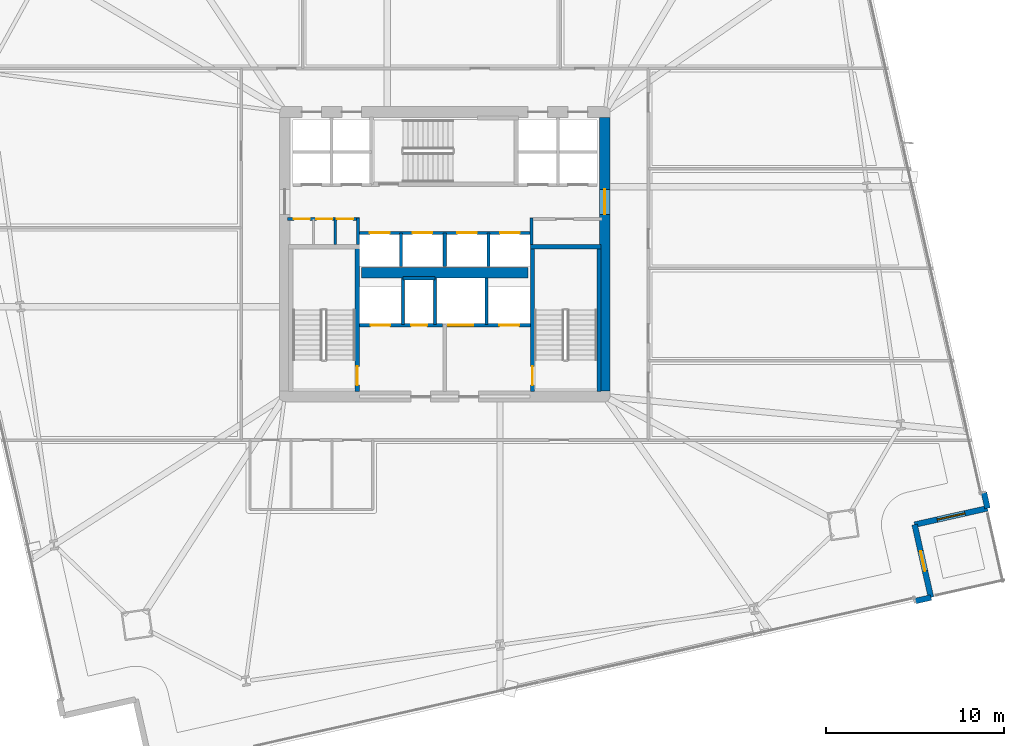
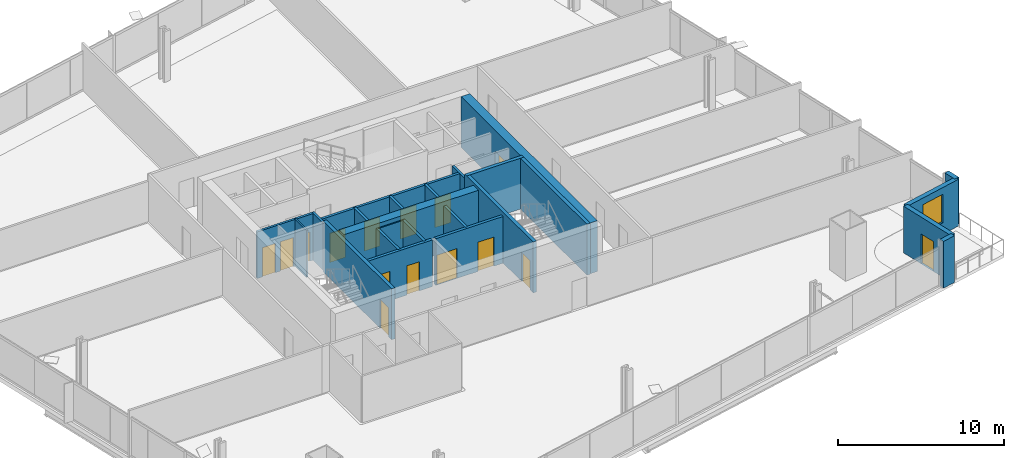
# One storey, part 25 of 32: 24 walls, 15 doors, 1 window, 16 openings.
"""IFC4 building model written with IfcOpenShell, lengths in metres."""

from ifc_helpers import new_model, si_unit, direction, frame, frame_2d, origin, place, context, subcontext, project, spatial, rectangle, extrude, material, layer, layer_set, type_object, element, fill, save


model = new_model("IFC4")

# Units and contexts
model_context = context("Model", 3, precision=1e-05, world=origin(), true_north=direction((0.0, 1.0)))
body_context = subcontext(model_context, "Body", "Model", "MODEL_VIEW")
ifc_project = project(units=[si_unit("LENGTHUNIT", "METRE"), si_unit("AREAUNIT", "SQUARE_METRE"), si_unit("VOLUMEUNIT", "CUBIC_METRE"), si_unit("PLANEANGLEUNIT", "RADIAN"), si_unit("MASSUNIT", "GRAM", prefix="KILO")], contexts=[model_context])

# Site, building, storey
site_placement = place(None, origin())
site = spatial("IfcSite", under=ifc_project, at=site_placement, CompositionType="ELEMENT")
building_placement = place(site_placement, origin())
building = spatial("IfcBuilding", under=site, at=building_placement, Name="Haldenkirk Collegiate Tower", CompositionType="ELEMENT")
storey_placement = place(building_placement, frame((0.0, 0.0, 70.199951171875)))
storey = spatial("IfcBuildingStorey", under=building, at=storey_placement, Name="L16", CompositionType="ELEMENT", Elevation=70.199951171875)

# Wall, opening, door
ifc_material_1 = material(Name="Concrete f'c 70 MPa", Category="concrete")
ifc_layer_1 = layer(ifc_material_1, 0.60009765625)
ifc_layer_set_1 = layer_set([ifc_layer_1], Name="Concrete f'c 70 MPa")
wall_type_1 = type_object("IfcWallType", Name="WL-CORE-600", PredefinedType="SHEAR", material=ifc_layer_set_1)
wall_1_placement = place(storey_placement, frame((45.0, 18.300048828125, 0.0), z_axis=(0.0, 0.0, 1.0), x_axis=(0.0, 1.0, 0.0)))
wall_1 = element("IfcWall", 1, at=wall_1_placement, inside=storey, type_object=wall_type_1, Name="L16 central core shear wall E", PredefinedType="SHEAR", context=body_context, shape_type="SweptSolid", body=[
    extrude(rectangle(XDim=15.39990234375, YDim=0.60009765625, at=frame_2d((7.699951171875, 0.0))), origin(), (0.0, 0.0, 1.0), 3.75),
])
opening_1_placement = place(wall_1_placement, frame((9.93994140625, 0.0, 0.0)))
opening_1 = element("IfcOpeningElement", 2, at=opening_1_placement, cuts=wall_1, Name="Opening D-03", PredefinedType="OPENING", context=body_context, shape_type="SweptSolid", body=[
    extrude(rectangle(XDim=1.39990234375, YDim=2.199951171875, at=frame_2d((0.699951171875, 1.10009765625))), frame((0.0, 0.31005859375, 0.0), z_axis=(0.0, -1.0, 0.0), x_axis=(1.0, 0.0, 0.0)), (0.0, 0.0, 1.0), 0.6201171875),
])
ifc_material_2 = material(Name="Galvanized fire-rated hollow steel door", Category="steel")
ifc_layer_2 = layer(ifc_material_2, 0.06005859375)
ifc_layer_set_2 = layer_set([ifc_layer_2], Name="Galvanized fire-rated hollow steel door")
door_type_1 = type_object("IfcDoorType", Name="DR-LOBBY-FD90-1400", OperationType="NOTDEFINED", PredefinedType="DOOR", material=ifc_layer_set_2)
door_1_placement = place(opening_1_placement, origin())
door_1 = element("IfcDoor", 3, at=door_1_placement, inside=storey, type_object=door_type_1, Name="L16 east lift lobby portal", OperationType="DOUBLE_DOOR_SINGLE_SWING", OverallHeight=2.199951171875, OverallWidth=1.39990234375, PredefinedType="DOOR", context=body_context, shape_type="SweptSolid", body=[
    extrude(rectangle(XDim=1.39990234375, YDim=2.199951171875, at=frame_2d((0.699951171875, 1.10009765625))), frame((0.0, 0.02490234375, 0.0), z_axis=(0.0, -1.0, 0.0), x_axis=(1.0, 0.0, 0.0)), (0.0, 0.0, 1.0), 0.050048828125),
])
fill(opening_1, door_1)

# Walls
wall_2_placement = place(storey_placement, frame((31.31005859375, 24.949951171875, 0.0), z_axis=(0.0, 0.0, 1.0), x_axis=(1.0, 0.0, 0.0)))
element("IfcWall", 4, at=wall_2_placement, inside=storey, type_object=wall_type_1, Name="L16 central core spine shear wall", PredefinedType="SHEAR", context=body_context, shape_type="SweptSolid", body=[
    extrude(rectangle(XDim=9.3798828125, YDim=0.60009765625, at=frame_2d((4.68994140625, 0.0))), origin(), (0.0, 0.0, 1.0), 3.75),
])
ifc_material_3 = material(Name="Precast concrete f'c 40 MPa", Category="concrete")
ifc_layer_3 = layer(ifc_material_3, 0.320068359375)
ifc_layer_set_3 = layer_set([ifc_layer_3], Name="Precast concrete f'c 40 MPa")
wall_type_2 = type_object("IfcWallType", Name="WL-EXT-TWR-320", PredefinedType="STANDARD", material=ifc_layer_set_3)
wall_3_placement = place(storey_placement, frame((63.341552734375, 6.694091796875, 0.0), z_axis=(0.0, 0.0, 1.0), x_axis=(-0.975686665965, -0.219170093439, 0.0)))
element("IfcWall", 5, at=wall_3_placement, inside=storey, type_object=wall_type_2, Name="L16 precast corner pier SL", PredefinedType="STANDARD", context=body_context, shape_type="SweptSolid", body=[
    extrude(rectangle(XDim=0.900146484375, YDim=0.320068359375, at=frame_2d((0.4501953125, 0.0))), origin(), (0.0, 0.0, 1.0), 3.43994140625),
])

# Wall, opening, door
wall_4_placement = place(storey_placement, frame((62.421875, 10.7919921875, 0.0), z_axis=(0.0, 0.0, 1.0), x_axis=(0.218979611585, -0.975729434685, 0.0)))
wall_4 = element("IfcWall", 6, at=wall_4_placement, inside=storey, type_object=wall_type_2, Name="L16 bronze precast notch wall 02", PredefinedType="STANDARD", context=body_context, shape_type="SweptSolid", body=[
    extrude(rectangle(XDim=4.199951171875, YDim=0.320068359375, at=frame_2d((2.10009765625, 0.0))), origin(), (0.0, 0.0, 1.0), 3.43994140625),
])
opening_2_placement = place(wall_4_placement, frame((1.52490234375, 0.0, 0.0)))
opening_2 = element("IfcOpeningElement", 7, at=opening_2_placement, cuts=wall_4, Name="Opening D-ST11", PredefinedType="OPENING", context=body_context, shape_type="SweptSolid", body=[
    extrude(rectangle(XDim=1.14990234375, YDim=2.199951171875, at=frame_2d((0.574951171875, 1.10009765625))), frame((0.0, 0.169921875, 0.0), z_axis=(0.0, -1.0, 0.0), x_axis=(1.0, 0.0, 0.0)), (0.0, 0.0, 1.0), 0.340087890625),
])
ifc_material_4 = material(Name="Anodised architectural bronze aluminium", Category="aluminium")
ifc_layer_4 = layer(ifc_material_4, 0.080078125)
ifc_layer_set_4 = layer_set([ifc_layer_4], Name="Anodised architectural bronze aluminium")
door_type_2 = type_object("IfcDoorType", Name="DR-EXT-STER-1150", OperationType="NOTDEFINED", PredefinedType="DOOR", material=ifc_layer_set_4)
door_2_placement = place(opening_2_placement, origin())
door_2 = element("IfcDoor", 8, at=door_2_placement, inside=storey, type_object=door_type_2, Name="L16 spiralling terrace door", OperationType="SINGLE_SWING_LEFT", OverallHeight=2.199951171875, OverallWidth=1.14990234375, PredefinedType="DOOR", context=body_context, shape_type="SweptSolid", body=[
    extrude(rectangle(XDim=1.14990234375, YDim=2.199951171875, at=frame_2d((0.574951171875, 1.10009765625))), frame((0.0, 0.02490234375, 0.0), z_axis=(0.0, -1.0, 0.0), x_axis=(1.0, 0.0, 0.0)), (0.0, 0.0, 1.0), 0.050048828125),
])
fill(opening_2, door_2)

# Wall, opening, window
wall_5_placement = place(storey_placement, frame((66.52001953125, 11.7119140625, 0.0), z_axis=(0.0, 0.0, 1.0), x_axis=(-0.975719801354, -0.219022531366, 0.0)))
wall_5 = element("IfcWall", 9, at=wall_5_placement, inside=storey, type_object=wall_type_2, Name="L16 bronze precast notch wall 03", PredefinedType="STANDARD", context=body_context, shape_type="SweptSolid", body=[
    extrude(rectangle(XDim=4.2001953125, YDim=0.320068359375, at=frame_2d((2.10009765625, 0.0))), origin(), (0.0, 0.0, 1.0), 3.43994140625),
])
opening_3_placement = place(wall_5_placement, frame((1.300048828125, 0.0, 0.85009765625)))
opening_3 = element("IfcOpeningElement", 10, at=opening_3_placement, cuts=wall_5, Name="Opening W-03", PredefinedType="OPENING", context=body_context, shape_type="SweptSolid", body=[
    extrude(rectangle(XDim=1.60009765625, YDim=2.10009765625, at=frame_2d((0.800048828125, 1.050048828125))), frame((0.0, 0.169921875, 0.0), z_axis=(0.0, -1.0, 0.0), x_axis=(1.0, 0.0, 0.0)), (0.0, 0.0, 1.0), 0.340087890625),
])
ifc_material_5 = material(Name="Low-E argon triple insulating glass", Category="glass")
ifc_layer_5 = layer(ifc_material_5, 0.090087890625)
ifc_layer_set_5 = layer_set([ifc_layer_5], Name="Low-E argon triple insulating glass")
window_type = type_object("IfcWindowType", Name="WN-Z1-1600X2100", PartitioningType="SINGLE_PANEL", PredefinedType="WINDOW", material=ifc_layer_set_5)
window_placement = place(opening_3_placement, origin())
window = element("IfcWindow", 11, at=window_placement, inside=storey, type_object=window_type, Name="L16 precast-frame academic window 2", OverallHeight=2.10009765625, OverallWidth=1.60009765625, PartitioningType="SINGLE_PANEL", PredefinedType="WINDOW", context=body_context, shape_type="SweptSolid", body=[
    extrude(rectangle(XDim=1.60009765625, YDim=2.10009765625, at=frame_2d((0.800048828125, 1.050048828125))), frame((0.0, 0.030029296875, 0.0), z_axis=(0.0, -1.0, 0.0), x_axis=(1.0, 0.0, 0.0)), (0.0, 0.0, 1.0), 0.06005859375),
])
fill(opening_3, window)

# Wall
wall_6_placement = place(storey_placement, frame((66.32275390625, 12.590087890625, 0.0), z_axis=(0.0, 0.0, 1.0), x_axis=(0.219170093439, -0.975686665965, 0.0)))
element("IfcWall", 12, at=wall_6_placement, inside=storey, type_object=wall_type_2, Name="L16 precast corner pier ER", PredefinedType="STANDARD", context=body_context, shape_type="SweptSolid", body=[
    extrude(rectangle(XDim=0.900146484375, YDim=0.320068359375, at=frame_2d((0.4501953125, 0.0))), origin(), (0.0, 0.0, 1.0), 3.43994140625),
])

# Wall, openings, doors
ifc_material_6 = material(Name="Acoustic fire-rated gypsum partition", Category="concrete")
ifc_layer_6 = layer(ifc_material_6, 0.159912109375)
ifc_layer_set_6 = layer_set([ifc_layer_6], Name="Acoustic fire-rated gypsum partition")
wall_type_3 = type_object("IfcWallType", Name="WL-INT-CORR-160", PredefinedType="PARTITIONING", material=ifc_layer_set_6)
wall_7_placement = place(storey_placement, frame((27.14990234375, 27.97998046875, 0.0), z_axis=(0.0, 0.0, 1.0), x_axis=(1.0, 0.0, 0.0)))
wall_7 = element("IfcWall", 13, at=wall_7_placement, inside=storey, type_object=wall_type_3, Name="L16 interior partition IW-L16-VCSW-N", PredefinedType="PARTITIONING", context=body_context, shape_type="SweptSolid", body=[
    extrude(rectangle(XDim=4.050048828125, YDim=0.159912109375, at=frame_2d((2.02490234375, 0.0))), origin(), (0.0, 0.0, 1.0), 3.43994140625),
])
opening_4_placement = place(wall_7_placement, frame((0.360107421875, 0.0, 0.0)))
opening_4 = element("IfcOpeningElement", 14, at=opening_4_placement, cuts=wall_7, Name="Opening D-11", PredefinedType="OPENING", context=body_context, shape_type="SweptSolid", body=[
    extrude(rectangle(XDim=0.89990234375, YDim=2.14990234375, at=frame_2d((0.449951171875, 1.074951171875))), frame((0.0, 0.08984375, 0.0), z_axis=(0.0, -1.0, 0.0), x_axis=(1.0, 0.0, 0.0)), (0.0, 0.0, 1.0), 0.179931640625),
])
opening_5_placement = place(wall_7_placement, frame((1.6298828125, 0.0, 0.0)))
opening_5 = element("IfcOpeningElement", 15, at=opening_5_placement, cuts=wall_7, Name="Opening D-11", PredefinedType="OPENING", context=body_context, shape_type="SweptSolid", body=[
    extrude(rectangle(XDim=0.89990234375, YDim=2.14990234375, at=frame_2d((0.449951171875, 1.074951171875))), frame((0.0, 0.08984375, 0.0), z_axis=(0.0, -1.0, 0.0), x_axis=(1.0, 0.0, 0.0)), (0.0, 0.0, 1.0), 0.179931640625),
])
opening_6_placement = place(wall_7_placement, frame((2.78759765625, 0.0, 0.0)))
opening_6 = element("IfcOpeningElement", 16, at=opening_6_placement, cuts=wall_7, Name="Opening D-11", PredefinedType="OPENING", context=body_context, shape_type="SweptSolid", body=[
    extrude(rectangle(XDim=0.89990234375, YDim=2.14990234375, at=frame_2d((0.449951171875, 1.074951171875))), frame((0.0, 0.08984375, 0.0), z_axis=(0.0, -1.0, 0.0), x_axis=(1.0, 0.0, 0.0)), (0.0, 0.0, 1.0), 0.179931640625),
])
ifc_material_7 = material(Name="Solid-core architectural oak fire door", Category="wood")
ifc_layer_7 = layer(ifc_material_7, 0.06005859375)
ifc_layer_set_7 = layer_set([ifc_layer_7], Name="Solid-core architectural oak fire door")
door_type_3 = type_object("IfcDoorType", Name="DR-INT-FD60-900", OperationType="NOTDEFINED", PredefinedType="DOOR", material=ifc_layer_set_7)
door_3_placement = place(opening_4_placement, origin())
door_3 = element("IfcDoor", 17, at=door_3_placement, inside=storey, type_object=door_type_3, Name="L16 core study booth door", OperationType="SINGLE_SWING_LEFT", OverallHeight=2.14990234375, OverallWidth=0.89990234375, PredefinedType="DOOR", context=body_context, shape_type="SweptSolid", body=[
    extrude(rectangle(XDim=0.89990234375, YDim=2.14990234375, at=frame_2d((0.449951171875, 1.074951171875))), frame((0.0, 0.02490234375, 0.0), z_axis=(0.0, -1.0, 0.0), x_axis=(1.0, 0.0, 0.0)), (0.0, 0.0, 1.0), 0.050048828125),
])
fill(opening_4, door_3)
door_4_placement = place(opening_5_placement, origin())
door_4 = element("IfcDoor", 18, at=door_4_placement, inside=storey, type_object=door_type_3, Name="L16 core cleaners door", OperationType="SINGLE_SWING_RIGHT", OverallHeight=2.14990234375, OverallWidth=0.89990234375, PredefinedType="DOOR", context=body_context, shape_type="SweptSolid", body=[
    extrude(rectangle(XDim=0.89990234375, YDim=2.14990234375, at=frame_2d((0.449951171875, 1.074951171875))), frame((0.0, 0.02490234375, 0.0), z_axis=(0.0, -1.0, 0.0), x_axis=(1.0, 0.0, 0.0)), (0.0, 0.0, 1.0), 0.050048828125),
])
fill(opening_5, door_4)
door_5_placement = place(opening_6_placement, origin())
door_5 = element("IfcDoor", 19, at=door_5_placement, inside=storey, type_object=door_type_3, Name="L16 core stationery door", OperationType="SINGLE_SWING_LEFT", OverallHeight=2.14990234375, OverallWidth=0.89990234375, PredefinedType="DOOR", context=body_context, shape_type="SweptSolid", body=[
    extrude(rectangle(XDim=0.89990234375, YDim=2.14990234375, at=frame_2d((0.449951171875, 1.074951171875))), frame((0.0, 0.02490234375, 0.0), z_axis=(0.0, -1.0, 0.0), x_axis=(1.0, 0.0, 0.0)), (0.0, 0.0, 1.0), 0.050048828125),
])
fill(opening_6, door_5)

# Walls
for number, where, z_axis, x_axis, name in (
    (20, (31.1201171875, 26.5400390625, 0.0), (0.0, 0.0, 1.0), (0.0, 1.0, 0.0), "L16 interior partition IW-L16-VCSW-E"),
    (21, (40.8798828125, 26.5400390625, 0.0), (0.0, 0.0, 1.0), (0.0, 1.0, 0.0), "L16 interior partition IW-L16-VCSE-W"),
):
    element("IfcWall", number, at=place(storey_placement, frame(where, z_axis=z_axis, x_axis=x_axis)), inside=storey, type_object=wall_type_3, Name=name, PredefinedType="PARTITIONING", context=body_context, shape_type="SweptSolid", body=[
        extrude(rectangle(XDim=1.510009765625, YDim=0.159912109375, at=frame_2d((0.7548828125, 0.0))), origin(), (0.0, 0.0, 1.0), 3.43994140625),
    ])
ifc_material_8 = material(Name="Fire-rated gypsum shaftboard assembly", Category="concrete")
ifc_layer_8 = layer(ifc_material_8, 0.179931640625)
ifc_layer_set_8 = layer_set([ifc_layer_8], Name="Fire-rated gypsum shaftboard assembly")
wall_type_4 = type_object("IfcWallType", Name="WL-INT-SHAFT-180", PredefinedType="PARTITIONING", material=ifc_layer_set_8)
for number, where, z_axis, x_axis, name in (
    (22, (33.64990234375, 22.050048828125, 0.0), (0.0, 0.0, 1.0), (0.0, 1.0, 0.0), "L16 interior partition IW-L16-FL1E"),
    (23, (35.449951171875, 22.050048828125, 0.0), (0.0, 0.0, 1.0), (0.0, 1.0, 0.0), "L16 interior partition IW-L16-GL1W"),
):
    element("IfcWall", number, at=place(storey_placement, frame(where, z_axis=z_axis, x_axis=x_axis)), inside=storey, type_object=wall_type_4, Name=name, PredefinedType="PARTITIONING", context=body_context, shape_type="SweptSolid", body=[
        extrude(rectangle(XDim=2.599853515625, YDim=0.179931640625, at=frame_2d((1.2998046875, 0.0))), origin(), (0.0, 0.0, 1.0), 3.43994140625),
    ])
wall_8_placement = place(storey_placement, frame((33.64990234375, 24.64990234375, 0.0), z_axis=(0.0, 0.0, 1.0), x_axis=(1.0, 0.0, 0.0)))
element("IfcWall", 24, at=wall_8_placement, inside=storey, type_object=wall_type_4, Name="L16 interior partition IW-L16-RSRN", PredefinedType="PARTITIONING", context=body_context, shape_type="SweptSolid", body=[
    extrude(rectangle(XDim=1.800048828125, YDim=0.179931640625, at=frame_2d((0.89990234375, 0.0))), origin(), (0.0, 0.0, 1.0), 3.43994140625),
])
wall_9_placement = place(storey_placement, frame((38.35009765625, 22.050048828125, 0.0), z_axis=(0.0, 0.0, 1.0), x_axis=(0.0, 1.0, 0.0)))
element("IfcWall", 25, at=wall_9_placement, inside=storey, type_object=wall_type_4, Name="L16 interior partition IW-L16-GL1E", PredefinedType="PARTITIONING", context=body_context, shape_type="SweptSolid", body=[
    extrude(rectangle(XDim=2.599853515625, YDim=0.179931640625, at=frame_2d((1.2998046875, 0.0))), origin(), (0.0, 0.0, 1.0), 3.43994140625),
])

# Wall, openings, doors
wall_10_placement = place(storey_placement, frame((31.199951171875, 27.199951171875, 0.0), z_axis=(0.0, 0.0, 1.0), x_axis=(1.0, 0.0, 0.0)))
wall_10 = element("IfcWall", 26, at=wall_10_placement, inside=storey, type_object=wall_type_4, Name="L16 interior partition IW-L16-PHN", PredefinedType="PARTITIONING", context=body_context, shape_type="SweptSolid", body=[
    extrude(rectangle(XDim=9.60009765625, YDim=0.179931640625, at=frame_2d((4.800048828125, 0.0))), origin(), (0.0, 0.0, 1.0), 3.43994140625),
])
opening_7_placement = place(wall_10_placement, frame((0.590087890625, 0.0, 0.0)))
opening_7 = element("IfcOpeningElement", 27, at=opening_7_placement, cuts=wall_10, Name="Opening LD-11", PredefinedType="OPENING", context=body_context, shape_type="SweptSolid", body=[
    extrude(rectangle(XDim=1.10009765625, YDim=2.14990234375, at=frame_2d((0.550048828125, 1.074951171875))), frame((0.0, 0.099853515625, 0.0), z_axis=(0.0, -1.0, 0.0), x_axis=(1.0, 0.0, 0.0)), (0.0, 0.0, 1.0), 0.199951171875),
])
opening_8_placement = place(wall_10_placement, frame((2.989990234375, 0.0, 0.0)))
opening_8 = element("IfcOpeningElement", 28, at=opening_8_placement, cuts=wall_10, Name="Opening LD-11", PredefinedType="OPENING", context=body_context, shape_type="SweptSolid", body=[
    extrude(rectangle(XDim=1.10009765625, YDim=2.14990234375, at=frame_2d((0.550048828125, 1.074951171875))), frame((0.0, 0.099853515625, 0.0), z_axis=(0.0, -1.0, 0.0), x_axis=(1.0, 0.0, 0.0)), (0.0, 0.0, 1.0), 0.199951171875),
])
opening_9_placement = place(wall_10_placement, frame((5.510009765625, 0.0, 0.0)))
opening_9 = element("IfcOpeningElement", 29, at=opening_9_placement, cuts=wall_10, Name="Opening LD-11", PredefinedType="OPENING", context=body_context, shape_type="SweptSolid", body=[
    extrude(rectangle(XDim=1.10009765625, YDim=2.14990234375, at=frame_2d((0.550048828125, 1.074951171875))), frame((0.0, 0.099853515625, 0.0), z_axis=(0.0, -1.0, 0.0), x_axis=(1.0, 0.0, 0.0)), (0.0, 0.0, 1.0), 0.199951171875),
])
opening_10_placement = place(wall_10_placement, frame((7.909912109375, 0.0, 0.0)))
opening_10 = element("IfcOpeningElement", 30, at=opening_10_placement, cuts=wall_10, Name="Opening LD-11", PredefinedType="OPENING", context=body_context, shape_type="SweptSolid", body=[
    extrude(rectangle(XDim=1.10009765625, YDim=2.14990234375, at=frame_2d((0.550048828125, 1.074951171875))), frame((0.0, 0.099853515625, 0.0), z_axis=(0.0, -1.0, 0.0), x_axis=(1.0, 0.0, 0.0)), (0.0, 0.0, 1.0), 0.199951171875),
])
ifc_material_9 = material(Name="Brushed architectural stainless steel", Category="steel")
ifc_layer_9 = layer(ifc_material_9, 0.06005859375)
ifc_layer_set_9 = layer_set([ifc_layer_9], Name="Brushed architectural stainless steel")
door_type_4 = type_object("IfcDoorType", Name="LD-PASS-1100", OperationType="NOTDEFINED", PredefinedType="DOOR", material=ifc_layer_set_9)
door_6_placement = place(opening_7_placement, origin())
door_6 = element("IfcDoor", 31, at=door_6_placement, inside=storey, type_object=door_type_4, Name="L16 Elevator PH1 sliding landing door", OperationType="SLIDING_TO_LEFT", OverallHeight=2.14990234375, OverallWidth=1.10009765625, PredefinedType="DOOR", context=body_context, shape_type="SweptSolid", body=[
    extrude(rectangle(XDim=1.10009765625, YDim=2.14990234375, at=frame_2d((0.550048828125, 1.074951171875))), frame((0.0, 0.02490234375, 0.0), z_axis=(0.0, -1.0, 0.0), x_axis=(1.0, 0.0, 0.0)), (0.0, 0.0, 1.0), 0.050048828125),
])
fill(opening_7, door_6)
door_7_placement = place(opening_8_placement, origin())
door_7 = element("IfcDoor", 32, at=door_7_placement, inside=storey, type_object=door_type_4, Name="L16 Elevator PH2 sliding landing door", OperationType="SLIDING_TO_LEFT", OverallHeight=2.14990234375, OverallWidth=1.10009765625, PredefinedType="DOOR", context=body_context, shape_type="SweptSolid", body=[
    extrude(rectangle(XDim=1.10009765625, YDim=2.14990234375, at=frame_2d((0.550048828125, 1.074951171875))), frame((0.0, 0.02490234375, 0.0), z_axis=(0.0, -1.0, 0.0), x_axis=(1.0, 0.0, 0.0)), (0.0, 0.0, 1.0), 0.050048828125),
])
fill(opening_8, door_7)
door_8_placement = place(opening_9_placement, origin())
door_8 = element("IfcDoor", 33, at=door_8_placement, inside=storey, type_object=door_type_4, Name="L16 Elevator PH3 sliding landing door", OperationType="SLIDING_TO_LEFT", OverallHeight=2.14990234375, OverallWidth=1.10009765625, PredefinedType="DOOR", context=body_context, shape_type="SweptSolid", body=[
    extrude(rectangle(XDim=1.10009765625, YDim=2.14990234375, at=frame_2d((0.550048828125, 1.074951171875))), frame((0.0, 0.02490234375, 0.0), z_axis=(0.0, -1.0, 0.0), x_axis=(1.0, 0.0, 0.0)), (0.0, 0.0, 1.0), 0.050048828125),
])
fill(opening_9, door_8)
door_9_placement = place(opening_10_placement, origin())
door_9 = element("IfcDoor", 34, at=door_9_placement, inside=storey, type_object=door_type_4, Name="L16 Elevator PH4 sliding landing door", OperationType="SLIDING_TO_LEFT", OverallHeight=2.14990234375, OverallWidth=1.10009765625, PredefinedType="DOOR", context=body_context, shape_type="SweptSolid", body=[
    extrude(rectangle(XDim=1.10009765625, YDim=2.14990234375, at=frame_2d((0.550048828125, 1.074951171875))), frame((0.0, 0.02490234375, 0.0), z_axis=(0.0, -1.0, 0.0), x_axis=(1.0, 0.0, 0.0)), (0.0, 0.0, 1.0), 0.050048828125),
])
fill(opening_10, door_9)

# Walls
for number, where, z_axis, x_axis, name in (
    (35, (33.5400390625, 25.300048828125, 0.0), (0.0, 0.0, 1.0), (0.0, 1.0, 0.0), "L16 interior partition IW-L16-PHV1"),
    (36, (36.0, 25.300048828125, 0.0), (0.0, 0.0, 1.0), (0.0, 1.0, 0.0), "L16 interior partition IW-L16-PHV2"),
    (37, (38.4599609375, 25.300048828125, 0.0), (0.0, 0.0, 1.0), (0.0, 1.0, 0.0), "L16 interior partition IW-L16-PHV3"),
):
    element("IfcWall", number, at=place(storey_placement, frame(where, z_axis=z_axis, x_axis=x_axis)), inside=storey, type_object=wall_type_4, Name=name, PredefinedType="PARTITIONING", context=body_context, shape_type="SweptSolid", body=[
        extrude(rectangle(XDim=1.89990234375, YDim=0.179931640625, at=frame_2d((0.949951171875, 0.0))), origin(), (0.0, 0.0, 1.0), 3.43994140625),
    ])

# Wall, openings, doors
ifc_layer_10 = layer(ifc_material_8, 0.199951171875)
ifc_layer_set_10 = layer_set([ifc_layer_10], Name="Fire-rated gypsum shaftboard assembly")
wall_type_5 = type_object("IfcWallType", Name="WL-INT-SHAFT-200", PredefinedType="PARTITIONING", material=ifc_layer_set_10)
wall_11_placement = place(storey_placement, frame((31.18994140625, 22.0, 0.0), z_axis=(0.0, 0.0, 1.0), x_axis=(1.0, 0.0, 0.0)))
wall_11 = element("IfcWall", 38, at=wall_11_placement, inside=storey, type_object=wall_type_5, Name="L16 interior partition IW-L16-FFL1N", PredefinedType="PARTITIONING", context=body_context, shape_type="SweptSolid", body=[
    extrude(rectangle(XDim=4.68994140625, YDim=0.199951171875, at=frame_2d((2.344970703125, 0.0))), origin(), (0.0, 0.0, 1.0), 3.43994140625),
])
opening_11_placement = place(wall_11_placement, frame((2.909912109375, 0.0, 0.0)))
opening_11 = element("IfcOpeningElement", 39, at=opening_11_placement, cuts=wall_11, Name="Opening D-06", PredefinedType="OPENING", context=body_context, shape_type="SweptSolid", body=[
    extrude(rectangle(XDim=0.89990234375, YDim=2.14990234375, at=frame_2d((0.449951171875, 1.074951171875))), frame((0.0, 0.10986328125, 0.0), z_axis=(0.0, -1.0, 0.0), x_axis=(1.0, 0.0, 0.0)), (0.0, 0.0, 1.0), 0.219970703125),
])
opening_12_placement = place(wall_11_placement, frame((0.635009765625, 0.0, 0.0)))
opening_12 = element("IfcOpeningElement", 40, at=opening_12_placement, cuts=wall_11, Name="Opening LD-12", PredefinedType="OPENING", context=body_context, shape_type="SweptSolid", body=[
    extrude(rectangle(XDim=1.10009765625, YDim=2.14990234375, at=frame_2d((0.550048828125, 1.074951171875))), frame((0.0, 0.10986328125, 0.0), z_axis=(0.0, -1.0, 0.0), x_axis=(1.0, 0.0, 0.0)), (0.0, 0.0, 1.0), 0.219970703125),
])
ifc_layer_11 = layer(ifc_material_2, 0.06005859375)
ifc_layer_set_11 = layer_set([ifc_layer_11], Name="Galvanized fire-rated hollow steel door")
door_type_5 = type_object("IfcDoorType", Name="DR-INT-FD90-900", OperationType="NOTDEFINED", PredefinedType="DOOR", material=ifc_layer_set_11)
door_10_placement = place(opening_11_placement, origin())
door_10 = element("IfcDoor", 41, at=door_10_placement, inside=storey, type_object=door_type_5, Name="L16 electrical riser door", OperationType="SINGLE_SWING_RIGHT", OverallHeight=2.14990234375, OverallWidth=0.89990234375, PredefinedType="DOOR", context=body_context, shape_type="SweptSolid", body=[
    extrude(rectangle(XDim=0.89990234375, YDim=2.14990234375, at=frame_2d((0.449951171875, 1.074951171875))), frame((0.0, 0.02490234375, 0.0), z_axis=(0.0, -1.0, 0.0), x_axis=(1.0, 0.0, 0.0)), (0.0, 0.0, 1.0), 0.050048828125),
])
fill(opening_11, door_10)
ifc_layer_12 = layer(ifc_material_9, 0.06005859375)
ifc_layer_set_12 = layer_set([ifc_layer_12], Name="Brushed architectural stainless steel")
door_type_6 = type_object("IfcDoorType", Name="LD-FIRE-1100", OperationType="NOTDEFINED", PredefinedType="DOOR", material=ifc_layer_set_12)
door_11_placement = place(opening_12_placement, origin())
door_11 = element("IfcDoor", 42, at=door_11_placement, inside=storey, type_object=door_type_6, Name="L16 Elevator FL1 sliding landing door", OperationType="SLIDING_TO_LEFT", OverallHeight=2.14990234375, OverallWidth=1.10009765625, PredefinedType="DOOR", context=body_context, shape_type="SweptSolid", body=[
    extrude(rectangle(XDim=1.10009765625, YDim=2.14990234375, at=frame_2d((0.550048828125, 1.074951171875))), frame((0.0, 0.02490234375, 0.0), z_axis=(0.0, -1.0, 0.0), x_axis=(1.0, 0.0, 0.0)), (0.0, 0.0, 1.0), 0.050048828125),
])
fill(opening_12, door_11)

wall_12_placement = place(storey_placement, frame((36.1201171875, 22.0, 0.0), z_axis=(0.0, 0.0, 1.0), x_axis=(1.0, 0.0, 0.0)))
wall_12 = element("IfcWall", 43, at=wall_12_placement, inside=storey, type_object=wall_type_5, Name="L16 interior partition IW-L16-FFL2N", PredefinedType="PARTITIONING", context=body_context, shape_type="SweptSolid", body=[
    extrude(rectangle(XDim=4.68994140625, YDim=0.199951171875, at=frame_2d((2.344970703125, 0.0))), origin(), (0.0, 0.0, 1.0), 3.43994140625),
])
opening_13_placement = place(wall_12_placement, frame((2.955078125, 0.0, 0.0)))
opening_13 = element("IfcOpeningElement", 44, at=opening_13_placement, cuts=wall_12, Name="Opening LD-12", PredefinedType="OPENING", context=body_context, shape_type="SweptSolid", body=[
    extrude(rectangle(XDim=1.10009765625, YDim=2.14990234375, at=frame_2d((0.550048828125, 1.074951171875))), frame((0.0, 0.10986328125, 0.0), z_axis=(0.0, -1.0, 0.0), x_axis=(1.0, 0.0, 0.0)), (0.0, 0.0, 1.0), 0.219970703125),
])
opening_14_placement = place(wall_12_placement, frame((0.080078125, 0.0, 0.0)))
opening_14 = element("IfcOpeningElement", 45, at=opening_14_placement, cuts=wall_12, Name="Opening LD-13", PredefinedType="OPENING", context=body_context, shape_type="SweptSolid", body=[
    extrude(rectangle(XDim=1.39990234375, YDim=2.199951171875, at=frame_2d((0.699951171875, 1.10009765625))), frame((0.0, 0.10986328125, 0.0), z_axis=(0.0, -1.0, 0.0), x_axis=(1.0, 0.0, 0.0)), (0.0, 0.0, 1.0), 0.219970703125),
])
door_12_placement = place(opening_13_placement, origin())
door_12 = element("IfcDoor", 46, at=door_12_placement, inside=storey, type_object=door_type_6, Name="L16 Elevator FL2 sliding landing door", OperationType="SLIDING_TO_LEFT", OverallHeight=2.14990234375, OverallWidth=1.10009765625, PredefinedType="DOOR", context=body_context, shape_type="SweptSolid", body=[
    extrude(rectangle(XDim=1.10009765625, YDim=2.14990234375, at=frame_2d((0.550048828125, 1.074951171875))), frame((0.0, 0.02490234375, 0.0), z_axis=(0.0, -1.0, 0.0), x_axis=(1.0, 0.0, 0.0)), (0.0, 0.0, 1.0), 0.050048828125),
])
fill(opening_13, door_12)
ifc_layer_13 = layer(ifc_material_9, 0.06005859375)
ifc_layer_set_13 = layer_set([ifc_layer_13], Name="Brushed architectural stainless steel")
door_type_7 = type_object("IfcDoorType", Name="LD-GOODS-1400", OperationType="NOTDEFINED", PredefinedType="DOOR", material=ifc_layer_set_13)
door_13_placement = place(opening_14_placement, origin())
door_13 = element("IfcDoor", 47, at=door_13_placement, inside=storey, type_object=door_type_7, Name="L16 Elevator GL1 sliding landing door", OperationType="SLIDING_TO_LEFT", OverallHeight=2.199951171875, OverallWidth=1.39990234375, PredefinedType="DOOR", context=body_context, shape_type="SweptSolid", body=[
    extrude(rectangle(XDim=1.39990234375, YDim=2.199951171875, at=frame_2d((0.699951171875, 1.10009765625))), frame((0.0, 0.02490234375, 0.0), z_axis=(0.0, -1.0, 0.0), x_axis=(1.0, 0.0, 0.0)), (0.0, 0.0, 1.0), 0.050048828125),
])
fill(opening_14, door_13)

# Wall
ifc_layer_14 = layer(ifc_material_6, 0.1201171875)
ifc_layer_set_14 = layer_set([ifc_layer_14], Name="Acoustic fire-rated gypsum partition")
wall_type_6 = type_object("IfcWallType", Name="WL-INT-WET-120", PredefinedType="PARTITIONING", material=ifc_layer_set_14)
wall_13_placement = place(storey_placement, frame((29.840087890625, 26.5400390625, 0.0), z_axis=(0.0, 0.0, 1.0), x_axis=(0.0, 1.0, 0.0)))
element("IfcWall", 48, at=wall_13_placement, inside=storey, type_object=wall_type_6, Name="L16 interior partition IW-L16-VCSW-M2", PredefinedType="PARTITIONING", context=body_context, shape_type="SweptSolid", body=[
    extrude(rectangle(XDim=1.43994140625, YDim=0.1201171875, at=frame_2d((0.719970703125, 0.0))), origin(), (0.0, 0.0, 1.0), 3.43994140625),
])

# Wall, opening, door
ifc_material_10 = material(Name="Concrete f'c 55 MPa", Category="concrete")
ifc_layer_15 = layer(ifc_material_10, 0.239990234375)
ifc_layer_set_15 = layer_set([ifc_layer_15], Name="Concrete f'c 55 MPa")
wall_type_7 = type_object("IfcWallType", Name="WL-SHAFT-240", PredefinedType="SHEAR", material=ifc_layer_set_15)
wall_14_placement = place(storey_placement, frame((31.070068359375, 18.280029296875, 0.0), z_axis=(0.0, 0.0, 1.0), x_axis=(0.0, 1.0, 0.0)))
wall_14 = element("IfcWall", 49, at=wall_14_placement, inside=storey, type_object=wall_type_7, Name="L16 stair shaft shear wall SW-L16-ST1E", PredefinedType="SHEAR", context=body_context, shape_type="SweptSolid", body=[
    extrude(rectangle(XDim=8.260009765625, YDim=0.239990234375, at=frame_2d((4.1298828125, 0.0))), origin(), (0.0, 0.0, 1.0), 3.75),
])
opening_15_placement = place(wall_14_placement, frame((0.364990234375, 0.0, 0.0)))
opening_15 = element("IfcOpeningElement", 50, at=opening_15_placement, cuts=wall_14, Name="Opening D-01", PredefinedType="OPENING", context=body_context, shape_type="SweptSolid", body=[
    extrude(rectangle(XDim=1.050048828125, YDim=2.14990234375, at=frame_2d((0.52490234375, 1.074951171875))), frame((0.0, 0.1298828125, 0.0), z_axis=(0.0, -1.0, 0.0), x_axis=(1.0, 0.0, 0.0)), (0.0, 0.0, 1.0), 0.260009765625),
])
ifc_layer_16 = layer(ifc_material_2, 0.06005859375)
ifc_layer_set_16 = layer_set([ifc_layer_16], Name="Galvanized fire-rated hollow steel door")
door_type_8 = type_object("IfcDoorType", Name="DR-STAIR-FD90-1050", OperationType="NOTDEFINED", PredefinedType="DOOR", material=ifc_layer_set_16)
door_14_placement = place(opening_15_placement, origin())
door_14 = element("IfcDoor", 51, at=door_14_placement, inside=storey, type_object=door_type_8, Name="L16 Stair 1 door", OperationType="SINGLE_SWING_LEFT", OverallHeight=2.14990234375, OverallWidth=1.050048828125, PredefinedType="DOOR", context=body_context, shape_type="SweptSolid", body=[
    extrude(rectangle(XDim=1.050048828125, YDim=2.14990234375, at=frame_2d((0.52490234375, 1.074951171875))), frame((0.0, 0.02490234375, 0.0), z_axis=(0.0, -1.0, 0.0), x_axis=(1.0, 0.0, 0.0)), (0.0, 0.0, 1.0), 0.050048828125),
])
fill(opening_15, door_14)

wall_15_placement = place(storey_placement, frame((40.929931640625, 18.280029296875, 0.0), z_axis=(0.0, 0.0, 1.0), x_axis=(0.0, 1.0, 0.0)))
wall_15 = element("IfcWall", 52, at=wall_15_placement, inside=storey, type_object=wall_type_7, Name="L16 stair shaft shear wall SW-L16-ST2W", PredefinedType="SHEAR", context=body_context, shape_type="SweptSolid", body=[
    extrude(rectangle(XDim=8.260009765625, YDim=0.239990234375, at=frame_2d((4.1298828125, 0.0))), origin(), (0.0, 0.0, 1.0), 3.75),
])
opening_16_placement = place(wall_15_placement, frame((0.364990234375, 0.0, 0.0)))
opening_16 = element("IfcOpeningElement", 53, at=opening_16_placement, cuts=wall_15, Name="Opening D-01", PredefinedType="OPENING", context=body_context, shape_type="SweptSolid", body=[
    extrude(rectangle(XDim=1.050048828125, YDim=2.14990234375, at=frame_2d((0.52490234375, 1.074951171875))), frame((0.0, 0.1298828125, 0.0), z_axis=(0.0, -1.0, 0.0), x_axis=(1.0, 0.0, 0.0)), (0.0, 0.0, 1.0), 0.260009765625),
])
door_15_placement = place(opening_16_placement, origin())
door_15 = element("IfcDoor", 54, at=door_15_placement, inside=storey, type_object=door_type_8, Name="L16 Stair 2 door", OperationType="SINGLE_SWING_RIGHT", OverallHeight=2.14990234375, OverallWidth=1.050048828125, PredefinedType="DOOR", context=body_context, shape_type="SweptSolid", body=[
    extrude(rectangle(XDim=1.050048828125, YDim=2.14990234375, at=frame_2d((0.52490234375, 1.074951171875))), frame((0.0, 0.02490234375, 0.0), z_axis=(0.0, -1.0, 0.0), x_axis=(1.0, 0.0, 0.0)), (0.0, 0.0, 1.0), 0.050048828125),
])
fill(opening_16, door_15)

# Walls
wall_16_placement = place(storey_placement, frame((40.81005859375, 26.419921875, 0.0), z_axis=(0.0, 0.0, 1.0), x_axis=(1.0, 0.0, 0.0)))
element("IfcWall", 55, at=wall_16_placement, inside=storey, type_object=wall_type_7, Name="L16 stair shaft shear wall SW-L16-ST2N", PredefinedType="SHEAR", context=body_context, shape_type="SweptSolid", body=[
    extrude(rectangle(XDim=3.97998046875, YDim=0.239990234375, at=frame_2d((1.989990234375, 0.0))), origin(), (0.0, 0.0, 1.0), 3.75),
])
wall_17_placement = place(storey_placement, frame((44.669921875, 18.280029296875, 0.0), z_axis=(0.0, 0.0, 1.0), x_axis=(0.0, 1.0, 0.0)))
element("IfcWall", 56, at=wall_17_placement, inside=storey, type_object=wall_type_7, Name="L16 stair shaft shear wall SW-L16-ST2E", PredefinedType="SHEAR", context=body_context, shape_type="SweptSolid", body=[
    extrude(rectangle(XDim=8.260009765625, YDim=0.239990234375, at=frame_2d((4.1298828125, 0.0))), origin(), (0.0, 0.0, 1.0), 3.75),
])

save(model, "model.ifc")
